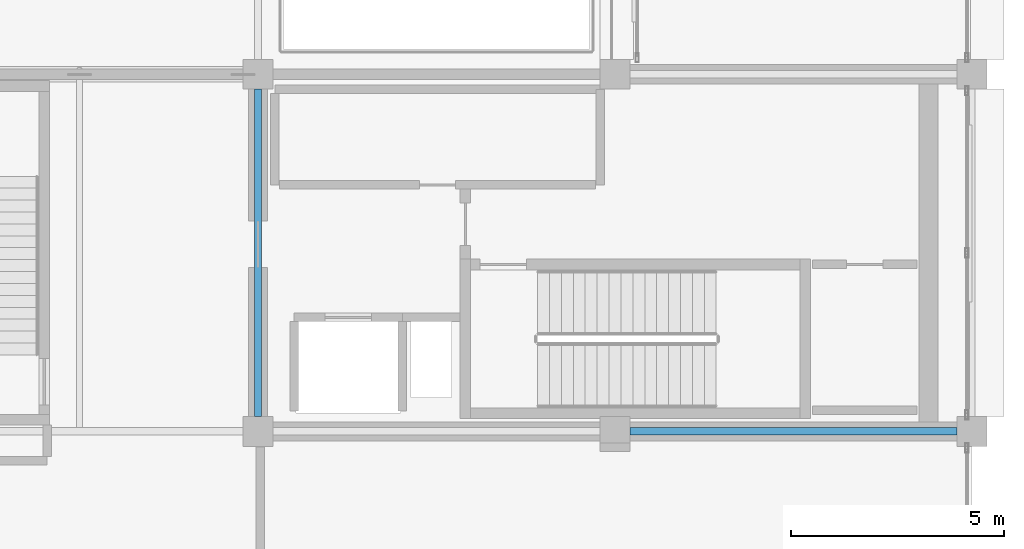
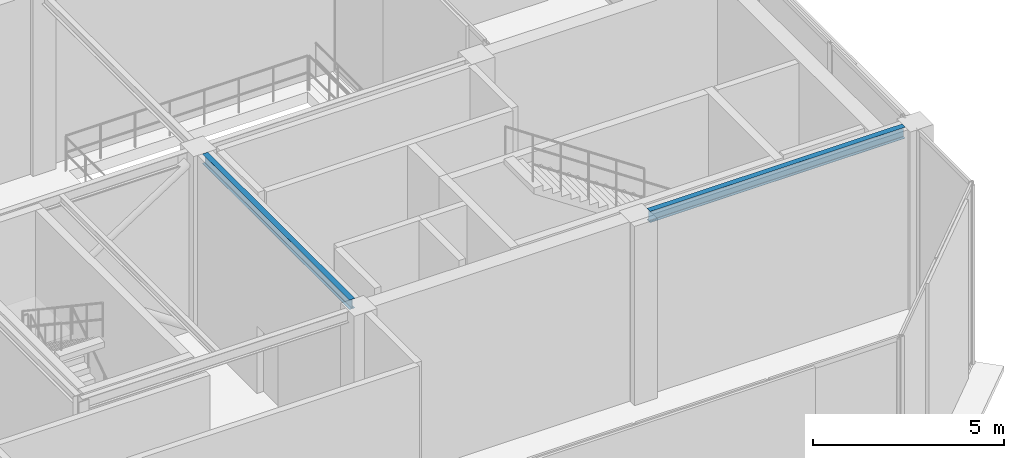
# One storey, part 5 of 19: 2 beams.
"""IFC4 building model written with IfcOpenShell, lengths in metres."""

from ifc_helpers import new_model, si_unit, direction, frame, origin, origin_2d, place, context, subcontext, project, spatial, i_section, extrude, material, material_profile, profile_set, type_object, element, save


model = new_model("IFC4")

# Units and contexts
model_context = context("Model", 3, precision=1e-05, world=origin(), true_north=direction((0.0, 1.0)))
body_context = subcontext(model_context, "Body", "Model", "MODEL_VIEW")
ifc_project = project(units=[si_unit("LENGTHUNIT", "METRE"), si_unit("AREAUNIT", "SQUARE_METRE"), si_unit("VOLUMEUNIT", "CUBIC_METRE"), si_unit("PLANEANGLEUNIT", "RADIAN"), si_unit("MASSUNIT", "GRAM", prefix="KILO")], contexts=[model_context])

# Site, building, storey
site_placement = place(None, origin())
site = spatial("IfcSite", under=ifc_project, at=site_placement, CompositionType="ELEMENT")
building_placement = place(site_placement, origin())
building = spatial("IfcBuilding", under=site, at=building_placement, Name="Nerrivon Quay Data Exchange", CompositionType="ELEMENT")
storey_placement = place(building_placement, frame((0.0, 0.0, 327.0)))
storey = spatial("IfcBuildingStorey", under=building, at=storey_placement, Name="L78", CompositionType="ELEMENT", Elevation=327.0)

# Beams
ifc_material = material(Name="Steel Grade 350", Category="steel")
ifc_material_profile_1 = material_profile(ifc_material, i_section(OverallWidth=0.172119140625, OverallDepth=0.35888671875, WebThickness=0.008056640625, FlangeThickness=0.012939453125, FilletRadius=0.011474609375, at=origin_2d()), Name="360UB56.7")
ifc_profile_set_1 = profile_set([ifc_material_profile_1], Name="Steel Grade 350")
beam_type_1 = type_object("IfcBeamType", Name="BM-J3-360UB57", PredefinedType="JOIST", material=ifc_profile_set_1)
beam_1_placement = place(storey_placement, frame((25.550048828125, 8.39990234375, 5.54541015625), z_axis=(1.0, 0.0, 0.0), x_axis=(0.0, 1.0, 0.0)))
element("IfcBeam", 1, at=beam_1_placement, inside=storey, type_object=beam_type_1, Name="L78 EW Girder Y=8.4 (25.2..33.6)", PredefinedType="JOIST", context=body_context, shape_type="SweptSolid", body=[
    extrude(i_section(OverallWidth=0.172119140625, OverallDepth=0.35888671875, WebThickness=0.008056640625, FlangeThickness=0.012939453125, FilletRadius=0.011474609375, at=origin_2d()), origin(), (0.0, 0.0, 1.0), 7.699951171875),
])
ifc_material_profile_2 = material_profile(ifc_material, i_section(OverallWidth=0.166015625, OverallDepth=0.306884765625, WebThickness=0.006591796875, FlangeThickness=0.01171875, FilletRadius=0.011474609375, at=origin_2d()), Name="310UB46.2")
ifc_profile_set_2 = profile_set([ifc_material_profile_2], Name="Steel Grade 350")
beam_type_2 = type_object("IfcBeamType", Name="BM-J5-310UB46", PredefinedType="JOIST", material=ifc_profile_set_2)
beam_2_placement = place(storey_placement, frame((16.800048828125, 8.75, 5.571533203125), z_axis=(0.0, 1.0, 0.0), x_axis=(-1.0, 0.0, 0.0)))
element("IfcBeam", 2, at=beam_2_placement, inside=storey, type_object=beam_type_2, Name="L78 NS Girder X=16.8 (8.4..16.8)", PredefinedType="JOIST", context=body_context, shape_type="SweptSolid", body=[
    extrude(i_section(OverallWidth=0.166015625, OverallDepth=0.306884765625, WebThickness=0.006591796875, FlangeThickness=0.01171875, FilletRadius=0.011474609375, at=origin_2d()), origin(), (0.0, 0.0, 1.0), 7.699951171875),
])

save(model, "model.ifc")
